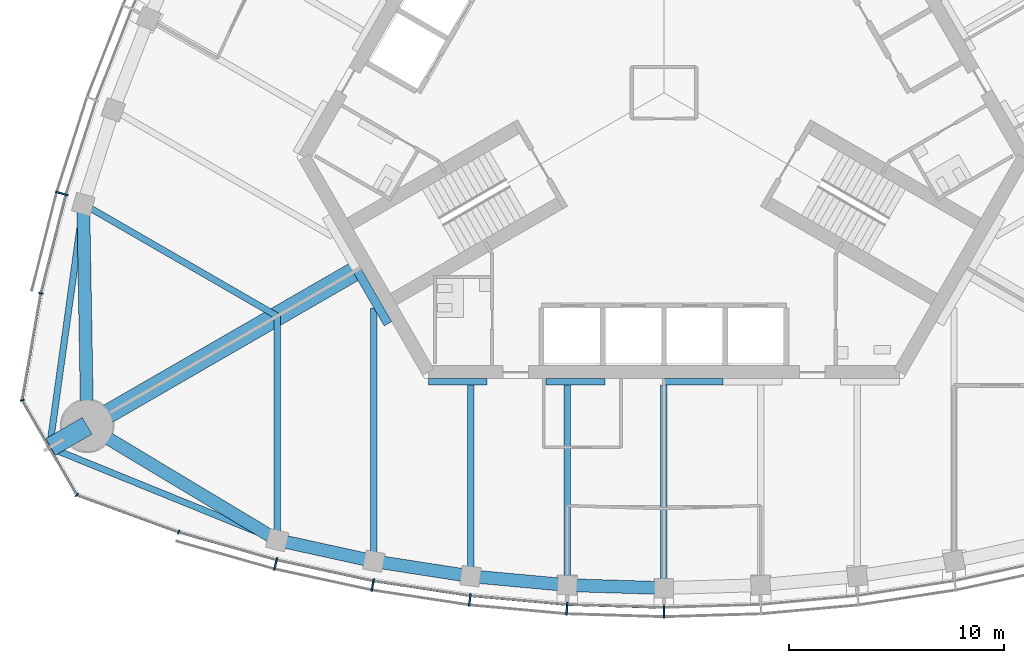
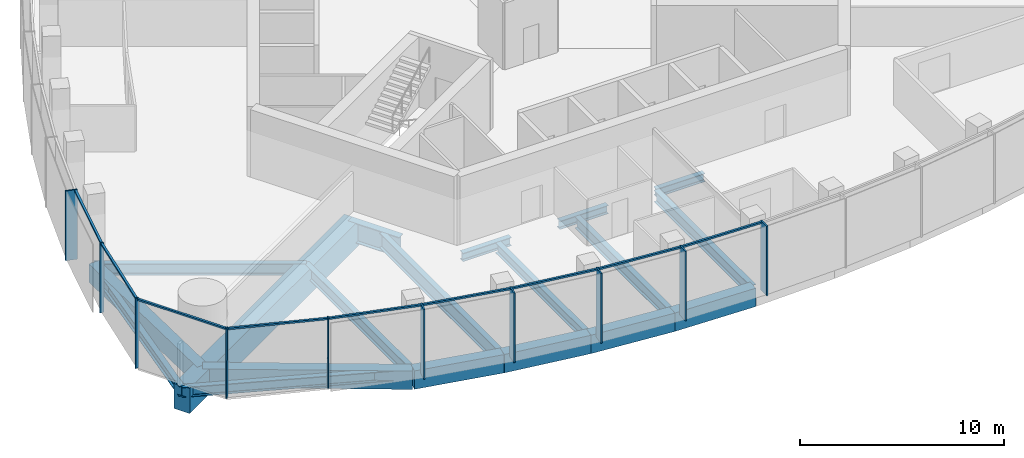
# One storey, part 2 of 16: 20 beams, 19 members, 3 elements without a shape of their own.
"""IFC4 building model written with IfcOpenShell, lengths in metres."""

from ifc_helpers import new_model, si_unit, direction, frame, origin, origin_2d, place, context, subcontext, project, spatial, rectangle, i_section, extrude, material, material_profile, profile_set, type_object, element, aggregate, save


model = new_model("IFC4")

# Units and contexts
model_context = context("Model", 3, precision=1e-05, world=origin(), true_north=direction((0.0, 1.0)))
body_context = subcontext(model_context, "Body", "Model", "MODEL_VIEW")
ifc_project = project(units=[si_unit("LENGTHUNIT", "METRE"), si_unit("AREAUNIT", "SQUARE_METRE"), si_unit("VOLUMEUNIT", "CUBIC_METRE"), si_unit("PLANEANGLEUNIT", "RADIAN"), si_unit("MASSUNIT", "GRAM", prefix="KILO")], contexts=[model_context])

# Site, building, storey
site_placement = place(None, origin())
site = spatial("IfcSite", under=ifc_project, at=site_placement, CompositionType="ELEMENT")
building_placement = place(site_placement, origin())
building = spatial("IfcBuilding", under=site, at=building_placement, Name="Trefoil Bronze Tower", CompositionType="ELEMENT")
storey_placement = place(building_placement, frame((0.0, 0.0, 314.10009765625)))
storey = spatial("IfcBuildingStorey", under=building, at=storey_placement, Name="L72", CompositionType="ELEMENT", Elevation=314.10009765625)

# Curtain wall, members
ifc_material_1 = material(Name="Tinted solar-control glass", Category="glass")
curtain_wall_type_1 = type_object("IfcCurtainWallType", Name="Bronze office curtain wall", PredefinedType="USERDEFINED", material=ifc_material_1)
curtain_wall_1_placement = place(storey_placement, origin())
curtain_wall_1 = element("IfcCurtainWall", 1, at=curtain_wall_1_placement, inside=storey, type_object=curtain_wall_type_1, Name="CW-A L72 F1", ObjectType="CURTAIN WALL", PredefinedType="USERDEFINED")
ifc_material_2 = material(Name="Bronze-finish aluminium", Category="aluminium")
ifc_material_profile_1 = material_profile(ifc_material_2, rectangle(XDim=0.60009765625, YDim=0.080078125, at=origin_2d()), Name="CW-A mullion")
ifc_profile_set_1 = profile_set([ifc_material_profile_1], Name="Bronze-finish aluminium")
member_type_1 = type_object("IfcMemberType", Name="Bronze office curtain wall mullion", PredefinedType="MULLION", material=ifc_profile_set_1)
member_1_placement = place(storey_placement, frame((-18.07275390625, -21.931884765625, 0.0), z_axis=(0.0, 0.0, 1.0), x_axis=(0.242394494031, 0.97017777199, 0.0)))
member_1 = element("IfcMember", 2, at=member_1_placement, type_object=member_type_1, Name="CW-A L72 F1 mullion 2", PredefinedType="MULLION", context=body_context, shape_type="SweptSolid", body=[
    extrude(rectangle(XDim=0.60009765625, YDim=0.080078125, at=origin_2d()), origin(), (0.0, 0.0, 1.0), 4.179931640625),
])
member_2_placement = place(storey_placement, frame((-13.554443359375, -22.911376953125, 0.0), z_axis=(0.0, 0.0, 1.0), x_axis=(0.181667218242, 0.983360067227, 0.0)))
member_2 = element("IfcMember", 3, at=member_2_placement, type_object=member_type_1, Name="CW-A L72 F1 mullion 3", PredefinedType="MULLION", context=body_context, shape_type="SweptSolid", body=[
    extrude(rectangle(XDim=0.60009765625, YDim=0.080078125, at=origin_2d()), origin(), (0.0, 0.0, 1.0), 4.179931640625),
])
member_3_placement = place(storey_placement, frame((-9.036376953125, -23.602783203125, 0.0), z_axis=(0.0, 0.0, 1.0), x_axis=(0.121109330868, 0.992639174109, 0.0)))
member_3 = element("IfcMember", 4, at=member_3_placement, type_object=member_type_1, Name="CW-A L72 F1 mullion 4", PredefinedType="MULLION", context=body_context, shape_type="SweptSolid", body=[
    extrude(rectangle(XDim=0.60009765625, YDim=0.080078125, at=origin_2d()), origin(), (0.0, 0.0, 1.0), 4.179931640625),
])
member_4_placement = place(storey_placement, frame((-4.51806640625, -24.014892578125, 0.0), z_axis=(0.0, 0.0, 1.0), x_axis=(0.060554040199, 0.998164920349, 0.0)))
member_4 = element("IfcMember", 5, at=member_4_placement, type_object=member_type_1, Name="CW-A L72 F1 mullion 5", PredefinedType="MULLION", context=body_context, shape_type="SweptSolid", body=[
    extrude(rectangle(XDim=0.60009765625, YDim=0.080078125, at=origin_2d()), origin(), (0.0, 0.0, 1.0), 4.179931640625),
])
member_5_placement = place(storey_placement, frame((0.0, -24.151611328125, 0.0), z_axis=(0.0, 0.0, 1.0), x_axis=(0.0, 1.0, 0.0)))
member_5 = element("IfcMember", 6, at=member_5_placement, type_object=member_type_1, Name="CW-A L72 F1 mullion 6", PredefinedType="MULLION", context=body_context, shape_type="SweptSolid", body=[
    extrude(rectangle(XDim=0.60009765625, YDim=0.080078125, at=origin_2d()), origin(), (0.0, 0.0, 1.0), 4.179931640625),
])

# Curtain wall, member
curtain_wall_2_placement = place(storey_placement, origin())
curtain_wall_2 = element("IfcCurtainWall", 7, at=curtain_wall_2_placement, inside=storey, type_object=curtain_wall_type_1, Name="CW-A L72 F3", ObjectType="CURTAIN WALL", PredefinedType="USERDEFINED")
member_6_placement = place(storey_placement, frame((-28.02978515625, -4.685546875, 0.0), z_axis=(0.0, 0.0, 1.0), x_axis=(0.961395843746, -0.275169096426, 0.0)))
member_6 = element("IfcMember", 8, at=member_6_placement, type_object=member_type_1, Name="CW-A L72 F3 mullion 10", PredefinedType="MULLION", context=body_context, shape_type="SweptSolid", body=[
    extrude(rectangle(XDim=0.60009765625, YDim=0.080078125, at=origin_2d()), origin(), (0.0, 0.0, 1.0), 4.179931640625),
])

# Member
ifc_material_3 = material(Name="Bronze-finish aluminium", Category="aluminium")
ifc_material_profile_2 = material_profile(ifc_material_3, rectangle(XDim=0.1201171875, YDim=0.10009765625, at=origin_2d()), Name="CW-A transom")
ifc_profile_set_2 = profile_set([ifc_material_profile_2], Name="Bronze-finish aluminium")
member_type_2 = type_object("IfcMemberType", Name="Bronze office curtain wall transom", PredefinedType="USERDEFINED", material=ifc_profile_set_2)
member_7_placement = place(storey_placement, frame((-22.537109375, -20.458740234375, 4.1298828125), z_axis=(0.962102611578, -0.272687668944, 0.0), x_axis=(0.272687668944, 0.962102611578, 0.0)))
member_7 = element("IfcMember", 9, at=member_7_placement, type_object=member_type_2, Name="CW-A L72 F1 transom 1", ObjectType="TRANSOM", PredefinedType="USERDEFINED", context=body_context, shape_type="SweptSolid", body=[
    extrude(rectangle(XDim=0.1201171875, YDim=0.10009765625, at=origin_2d()), origin(), (0.0, 0.0, 1.0), 4.6474609375),
])

member_8_placement = place(storey_placement, frame((-17.982177734375, -21.7470703125, 4.1298828125), z_axis=(0.977303780028, -0.211842681117, 0.0), x_axis=(0.211842681117, 0.977303780028, 0.0)))
member_8 = element("IfcMember", 10, at=member_8_placement, type_object=member_type_2, Name="CW-A L72 F1 transom 2", ObjectType="TRANSOM", PredefinedType="USERDEFINED", context=body_context, shape_type="SweptSolid", body=[
    extrude(rectangle(XDim=0.1201171875, YDim=0.10009765625, at=origin_2d()), origin(), (0.0, 0.0, 1.0), 4.524658203125),
])

member_9_placement = place(storey_placement, frame((-13.4755859375, -22.72119140625, 4.1298828125), z_axis=(0.988485016014, -0.151318779787, 0.0), x_axis=(0.151318779787, 0.988485016014, 0.0)))
member_9 = element("IfcMember", 11, at=member_9_placement, type_object=member_type_2, Name="CW-A L72 F1 transom 3", ObjectType="TRANSOM", PredefinedType="USERDEFINED", context=body_context, shape_type="SweptSolid", body=[
    extrude(rectangle(XDim=0.1201171875, YDim=0.10009765625, at=origin_2d()), origin(), (0.0, 0.0, 1.0), 4.472412109375),
])

member_10_placement = place(storey_placement, frame((-8.96923828125, -23.408203125, 4.1298828125), z_axis=(0.995868373079, -0.090808499059, 0.0), x_axis=(0.090808499059, 0.995868373079, 0.0)))
member_10 = element("IfcMember", 12, at=member_10_placement, type_object=member_type_2, Name="CW-A L72 F1 transom 4", ObjectType="TRANSOM", PredefinedType="USERDEFINED", context=body_context, shape_type="SweptSolid", body=[
    extrude(rectangle(XDim=0.1201171875, YDim=0.10009765625, at=origin_2d()), origin(), (0.0, 0.0, 1.0), 4.438720703125),
])

member_11_placement = place(storey_placement, frame((-4.463134765625, -23.81640625, 4.1298828125), z_axis=(0.99954057115, -0.030309183848, 0.0), x_axis=(0.030309183848, 0.99954057115, 0.0)))
member_11 = element("IfcMember", 13, at=member_11_placement, type_object=member_type_2, Name="CW-A L72 F1 transom 5", ObjectType="TRANSOM", PredefinedType="USERDEFINED", context=body_context, shape_type="SweptSolid", body=[
    extrude(rectangle(XDim=0.1201171875, YDim=0.10009765625, at=origin_2d()), origin(), (0.0, 0.0, 1.0), 4.422119140625),
])

aggregate(curtain_wall_1, [member_1, member_2, member_3, member_4, member_5, member_7, member_8, member_9, member_10, member_11])

member_12_placement = place(storey_placement, frame((-27.84814453125, -4.782470703125, 4.1298828125), z_axis=(-0.244908148095, -0.969546285123, 0.0), x_axis=(0.969546285123, -0.244908148095, 0.0)))
member_12 = element("IfcMember", 14, at=member_12_placement, type_object=member_type_2, Name="CW-A L72 F3 transom 10", ObjectType="TRANSOM", PredefinedType="USERDEFINED", context=body_context, shape_type="SweptSolid", body=[
    extrude(rectangle(XDim=0.1201171875, YDim=0.10009765625, at=origin_2d()), origin(), (0.0, 0.0, 1.0), 4.6474609375),
])

aggregate(curtain_wall_2, [member_6, member_12])

# Curtain wall, members
ifc_material_4 = material(Name="Tinted solar-control glass", Category="glass")
curtain_wall_type_2 = type_object("IfcCurtainWallType", Name="Bronze rounded corner curtain wall", PredefinedType="USERDEFINED", material=ifc_material_4)
curtain_wall_3_placement = place(storey_placement, origin())
curtain_wall_3 = element("IfcCurtainWall", 15, at=curtain_wall_3_placement, inside=storey, type_object=curtain_wall_type_2, Name="CW-B L72 K3", ObjectType="CURTAIN WALL", PredefinedType="USERDEFINED")
ifc_material_5 = material(Name="Bronze-finish aluminium", Category="aluminium")
ifc_material_profile_3 = material_profile(ifc_material_5, rectangle(XDim=0.199951171875, YDim=0.06005859375, at=origin_2d()), Name="CW-B mullion")
ifc_profile_set_3 = profile_set([ifc_material_profile_3], Name="Bronze-finish aluminium")
member_type_3 = type_object("IfcMemberType", Name="Bronze rounded corner curtain wall mullion", PredefinedType="MULLION", material=ifc_profile_set_3)
member_13_placement = place(storey_placement, frame((-28.99755859375, -9.334228515625, 0.0), z_axis=(0.0, 0.0, 1.0), x_axis=(0.984807753012, -0.173648177667, 0.0)))
member_13 = element("IfcMember", 16, at=member_13_placement, type_object=member_type_3, Name="CW-B L72 K3 mullion 1", PredefinedType="MULLION", context=body_context, shape_type="SweptSolid", body=[
    extrude(rectangle(XDim=0.199951171875, YDim=0.06005859375, at=origin_2d()), origin(), (0.0, 0.0, 1.0), 4.179931640625),
])
member_14_placement = place(storey_placement, frame((-29.86865234375, -14.30908203125, 0.0), z_axis=(0.0, 0.0, 1.0), x_axis=(0.984807753012, 0.173648177667, 0.0)))
member_14 = element("IfcMember", 17, at=member_14_placement, type_object=member_type_3, Name="CW-B L72 K3 mullion 2", PredefinedType="MULLION", context=body_context, shape_type="SweptSolid", body=[
    extrude(rectangle(XDim=0.199951171875, YDim=0.06005859375, at=origin_2d()), origin(), (0.0, 0.0, 1.0), 4.179931640625),
])
member_15_placement = place(storey_placement, frame((-27.326416015625, -18.712646484375, 0.0), z_axis=(0.0, 0.0, 1.0), x_axis=(0.642787609687, 0.766044443119, 0.0)))
member_15 = element("IfcMember", 18, at=member_15_placement, type_object=member_type_3, Name="CW-B L72 K3 mullion 3", PredefinedType="MULLION", context=body_context, shape_type="SweptSolid", body=[
    extrude(rectangle(XDim=0.199951171875, YDim=0.06005859375, at=origin_2d()), origin(), (0.0, 0.0, 1.0), 4.179931640625),
])
member_16_placement = place(storey_placement, frame((-22.58251953125, -20.445556640625, 0.0), z_axis=(0.0, 0.0, 1.0), x_axis=(0.342020143326, 0.939692620786, 0.0)))
member_16 = element("IfcMember", 19, at=member_16_placement, type_object=member_type_3, Name="CW-B L72 K3 mullion 4", PredefinedType="MULLION", context=body_context, shape_type="SweptSolid", body=[
    extrude(rectangle(XDim=0.199951171875, YDim=0.06005859375, at=origin_2d()), origin(), (0.0, 0.0, 1.0), 4.179931640625),
])
ifc_material_6 = material(Name="Bronze-finish aluminium", Category="aluminium")
ifc_material_profile_4 = material_profile(ifc_material_6, rectangle(XDim=0.1201171875, YDim=0.10009765625, at=origin_2d()), Name="CW-B transom")
ifc_profile_set_4 = profile_set([ifc_material_profile_4], Name="Bronze-finish aluminium")
member_type_4 = type_object("IfcMemberType", Name="Bronze rounded corner curtain wall transom", PredefinedType="USERDEFINED", material=ifc_profile_set_4)
member_17_placement = place(storey_placement, frame((-29.0029296875, -9.36376953125, 4.1298828125), z_axis=(-0.173633591509, -0.984810324834, 0.0), x_axis=(0.984810324834, -0.173633591509, 0.0)))
member_17 = element("IfcMember", 20, at=member_17_placement, type_object=member_type_4, Name="CW-B L72 K3 transom 1", ObjectType="TRANSOM", PredefinedType="USERDEFINED", context=body_context, shape_type="SweptSolid", body=[
    extrude(rectangle(XDim=0.1201171875, YDim=0.10009765625, at=origin_2d()), origin(), (0.0, 0.0, 1.0), 4.956298828125),
])
member_18_placement = place(storey_placement, frame((-29.841796875, -14.36767578125, 4.1298828125), z_axis=(0.499985403706, -0.866033830794, 0.0), x_axis=(0.866033830794, 0.499985403706, 0.0)))
member_18 = element("IfcMember", 21, at=member_18_placement, type_object=member_type_4, Name="CW-B L72 K3 transom 2", ObjectType="TRANSOM", PredefinedType="USERDEFINED", context=body_context, shape_type="SweptSolid", body=[
    extrude(rectangle(XDim=0.1201171875, YDim=0.10009765625, at=origin_2d()), origin(), (0.0, 0.0, 1.0), 4.956298828125),
])
member_19_placement = place(storey_placement, frame((-27.26806640625, -18.740234375, 4.1298828125), z_axis=(0.93969990549, -0.342000128103, 0.0), x_axis=(0.342000128103, 0.93969990549, 0.0)))
member_19 = element("IfcMember", 22, at=member_19_placement, type_object=member_type_4, Name="CW-B L72 K3 transom 3", ObjectType="TRANSOM", PredefinedType="USERDEFINED", context=body_context, shape_type="SweptSolid", body=[
    extrude(rectangle(XDim=0.1201171875, YDim=0.10009765625, at=origin_2d()), origin(), (0.0, 0.0, 1.0), 4.956298828125),
])
aggregate(curtain_wall_3, [member_13, member_14, member_15, member_16, member_17, member_18, member_19])

# Beams
ifc_material_7 = material(Name="Steel C355", Category="steel")
ifc_material_profile_5 = material_profile(ifc_material_7, i_section(OverallWidth=0.300048828125, OverallDepth=0.5, WebThickness=0.014404296875, FlangeThickness=0.028076171875, FilletRadius=0.027099609375, at=origin_2d()), Name="HEB 500")
ifc_profile_set_5 = profile_set([ifc_material_profile_5], Name="Steel C355")
beam_type_1 = type_object("IfcBeamType", Name="Core seat beam HEB 500", PredefinedType="BEAM", material=ifc_profile_set_5)
for number, where, z_axis, x_axis, name in (
    (23, (-10.9697265625, -13.449951171875, -0.4501953125), (1.0, 0.0, 0.0), (0.0, 1.0, 0.0), "Core seat beam F1/-2 L72"),
    (24, (-5.48486328125, -13.449951171875, -0.4501953125), (1.0, 0.0, 0.0), (0.0, 1.0, 0.0), "Core seat beam F1/-1 L72"),
    (25, (0.0, -13.449951171875, -0.4501953125), (1.0, 0.0, 0.0), (0.0, 1.0, 0.0), "Core seat beam F1/+0 L72"),
):
    element("IfcBeam", number, at=place(storey_placement, frame(where, z_axis=z_axis, x_axis=x_axis)), inside=storey, type_object=beam_type_1, Name=name, PredefinedType="BEAM", context=body_context, shape_type="SweptSolid", body=[
        extrude(i_section(OverallWidth=0.300048828125, OverallDepth=0.5, WebThickness=0.014404296875, FlangeThickness=0.028076171875, FilletRadius=0.027099609375, at=origin_2d()), origin(), (0.0, 0.0, 1.0), 2.742431640625),
    ])
ifc_material_8 = material(Name="Steel C355", Category="steel")
ifc_material_profile_6 = material_profile(ifc_material_8, i_section(OverallWidth=0.39990234375, OverallDepth=1.199951171875, WebThickness=0.02001953125, FlangeThickness=0.0400390625, FilletRadius=0.010009765625, at=origin_2d()), Name="WPG 1200")
ifc_profile_set_6 = profile_set([ifc_material_profile_6], Name="Steel C355")
beam_type_2 = type_object("IfcBeamType", Name="Core seat beam WPG 1200", PredefinedType="BEAM", material=ifc_profile_set_6)
beam_1_placement = place(storey_placement, frame((-14.289306640625, -8.25, -0.800048828125), z_axis=(0.499995765644, -0.866027848477, 0.0), x_axis=(0.866027848477, 0.499995765644, 0.0)))
element("IfcBeam", 26, at=beam_1_placement, inside=storey, type_object=beam_type_2, Name="Core seat beam F1/-3 L72", PredefinedType="BEAM", context=body_context, shape_type="SweptSolid", body=[
    extrude(i_section(OverallWidth=0.39990234375, OverallDepth=1.199951171875, WebThickness=0.02001953125, FlangeThickness=0.0400390625, FilletRadius=0.010009765625, at=origin_2d()), origin(), (0.0, 0.0, 1.0), 2.88671875),
])
ifc_material_9 = material(Name="Concrete B80", Category="concrete")
ifc_material_profile_7 = material_profile(ifc_material_9, rectangle(XDim=0.89990234375, YDim=1.5, at=origin_2d()), Name="RC 900x1500")
ifc_profile_set_7 = profile_set([ifc_material_profile_7], Name="Concrete B80")
beam_type_3 = type_object("IfcBeamType", Name="Corner cantilever RC 900x1500", PredefinedType="BEAM", material=ifc_profile_set_7)
beam_2_placement = place(storey_placement, frame((-26.8466796875, -15.5, -0.9501953125), z_axis=(-0.866010470582, -0.500025864173, 0.0), x_axis=(0.500025864173, -0.866010470582, 0.0)))
element("IfcBeam", 27, at=beam_2_placement, inside=storey, type_object=beam_type_3, Name="Corner cantilever K3 L72", PredefinedType="BEAM", context=body_context, shape_type="SweptSolid", body=[
    extrude(rectangle(XDim=0.89990234375, YDim=1.5, at=origin_2d()), origin(), (0.0, 0.0, 1.0), 2.02001953125),
])
ifc_material_10 = material(Name="Steel C355", Category="steel")
ifc_material_profile_8 = material_profile(ifc_material_10, i_section(OverallWidth=0.300048828125, OverallDepth=0.60009765625, WebThickness=0.015380859375, FlangeThickness=0.030029296875, FilletRadius=0.027099609375, at=origin_2d()), Name="HEB 600")
ifc_profile_set_8 = profile_set([ifc_material_profile_8], Name="Steel C355")
beam_type_4 = type_object("IfcBeamType", Name="Corner edge beam HEB 600", PredefinedType="BEAM", material=ifc_profile_set_8)
beam_3_placement = place(storey_placement, frame((-18.0, -20.816162109375, -0.5), z_axis=(-0.926419351914, 0.376493272714, 0.0), x_axis=(-0.376493272714, -0.926419351914, 0.0)))
element("IfcBeam", 28, at=beam_3_placement, inside=storey, type_object=beam_type_4, Name="Corner edge beam F1B L72", PredefinedType="BEAM", context=body_context, shape_type="SweptSolid", body=[
    extrude(i_section(OverallWidth=0.300048828125, OverallDepth=0.60009765625, WebThickness=0.015380859375, FlangeThickness=0.030029296875, FilletRadius=0.027099609375, at=origin_2d()), origin(), (0.0, 0.0, 1.0), 11.4375),
])
beam_4_placement = place(storey_placement, frame((-27.02734375, -5.180419921875, -0.5), z_axis=(-0.137143714313, -0.990551160529, 0.0), x_axis=(0.990551160529, -0.137143714313, 0.0)))
element("IfcBeam", 29, at=beam_4_placement, inside=storey, type_object=beam_type_4, Name="Corner edge beam F3A L72", PredefinedType="BEAM", context=body_context, shape_type="SweptSolid", body=[
    extrude(i_section(OverallWidth=0.300048828125, OverallDepth=0.60009765625, WebThickness=0.015380859375, FlangeThickness=0.030029296875, FilletRadius=0.027099609375, at=origin_2d()), origin(), (0.0, 0.0, 1.0), 11.437744140625),
])
ifc_material_11 = material(Name="Concrete B80", Category="concrete")
ifc_material_profile_9 = material_profile(ifc_material_11, rectangle(XDim=0.89990234375, YDim=1.5, at=origin_2d()), Name="RC 900x1500")
ifc_profile_set_9 = profile_set([ifc_material_profile_9], Name="Concrete B80")
beam_type_5 = type_object("IfcBeamType", Name="Corner girder RC 900x1500", PredefinedType="BEAM", material=ifc_profile_set_9)
beam_5_placement = place(storey_placement, frame((-14.1162109375, -8.14990234375, -0.9501953125), z_axis=(-0.86602074674, -0.500008066151, 0.0), x_axis=(0.500008066151, -0.86602074674, 0.0)))
element("IfcBeam", 30, at=beam_5_placement, inside=storey, type_object=beam_type_5, Name="Corner girder K3 L72", PredefinedType="BEAM", context=body_context, shape_type="SweptSolid", body=[
    extrude(rectangle(XDim=0.89990234375, YDim=1.5, at=origin_2d()), origin(), (0.0, 0.0, 1.0), 14.699951171875),
])
ifc_material_12 = material(Name="Concrete B80", Category="concrete")
ifc_material_profile_10 = material_profile(ifc_material_12, rectangle(XDim=0.60009765625, YDim=1.10009765625, at=origin_2d()), Name="RC 600x1100")
ifc_profile_set_10 = profile_set([ifc_material_profile_10], Name="Concrete B80")
beam_type_6 = type_object("IfcBeamType", Name="End spandrel beam RC 600x1100", PredefinedType="SPANDREL", material=ifc_profile_set_10)
for number, where, z_axis, x_axis, name in (
    (31, (-26.8466796875, -15.5, -0.75), (0.857144173035, -0.515076563855, 0.0), (0.515076563855, 0.857144173035, 0.0), "Spandrel F1.1 L72"),
    (32, (-27.02734375, -5.180419921875, -0.75), (0.017504237714, -0.999846789094, 0.0), (0.999846789094, 0.017504237714, 0.0), "Spandrel F3.10 L72"),
):
    element("IfcBeam", number, at=place(storey_placement, frame(where, z_axis=z_axis, x_axis=x_axis)), inside=storey, type_object=beam_type_6, Name=name, PredefinedType="SPANDREL", context=body_context, shape_type="SweptSolid", body=[
        extrude(rectangle(XDim=0.60009765625, YDim=1.10009765625, at=origin_2d()), origin(), (0.0, 0.0, 1.0), 10.321044921875),
    ])
ifc_material_13 = material(Name="Steel C355", Category="steel")
ifc_material_profile_11 = material_profile(ifc_material_13, i_section(OverallWidth=0.300048828125, OverallDepth=0.60009765625, WebThickness=0.015380859375, FlangeThickness=0.030029296875, FilletRadius=0.027099609375, at=origin_2d()), Name="HEB 600")
ifc_profile_set_11 = profile_set([ifc_material_profile_11], Name="Steel C355")
beam_type_7 = type_object("IfcBeamType", Name="Floor beam HEB 600", PredefinedType="BEAM", material=ifc_profile_set_11)
beam_6_placement = place(storey_placement, frame((-9.0, -22.499267578125, -0.5), z_axis=(0.0, 1.0, 0.0), x_axis=(-1.0, 0.0, 0.0)))
element("IfcBeam", 33, at=beam_6_placement, inside=storey, type_object=beam_type_7, Name="Floor beam F1/-2 L72", PredefinedType="BEAM", context=body_context, shape_type="SweptSolid", body=[
    extrude(i_section(OverallWidth=0.300048828125, OverallDepth=0.60009765625, WebThickness=0.015380859375, FlangeThickness=0.030029296875, FilletRadius=0.027099609375, at=origin_2d()), origin(), (0.0, 0.0, 1.0), 8.899169921875),
])
ifc_material_14 = material(Name="Steel C355", Category="steel")
ifc_material_profile_12 = material_profile(ifc_material_14, i_section(OverallWidth=0.300048828125, OverallDepth=0.699951171875, WebThickness=0.01708984375, FlangeThickness=0.031982421875, FilletRadius=0.027099609375, at=origin_2d()), Name="HEB 700")
ifc_profile_set_12 = profile_set([ifc_material_profile_12], Name="Steel C355")
beam_type_8 = type_object("IfcBeamType", Name="Floor beam HEB 700", PredefinedType="BEAM", material=ifc_profile_set_12)
beam_7_placement = place(storey_placement, frame((-18.0, -20.816162109375, -0.550048828125), z_axis=(0.0, 1.0, 0.0), x_axis=(-1.0, 0.0, 0.0)))
element("IfcBeam", 34, at=beam_7_placement, inside=storey, type_object=beam_type_8, Name="Floor beam F1/-4 L72", PredefinedType="BEAM", context=body_context, shape_type="SweptSolid", body=[
    extrude(i_section(OverallWidth=0.300048828125, OverallDepth=0.699951171875, WebThickness=0.01708984375, FlangeThickness=0.031982421875, FilletRadius=0.027099609375, at=origin_2d()), origin(), (0.0, 0.0, 1.0), 10.423828125),
])
beam_8_placement = place(storey_placement, frame((-4.5, -22.913818359375, -0.550048828125), z_axis=(0.0, 1.0, 0.0), x_axis=(-1.0, 0.0, 0.0)))
element("IfcBeam", 35, at=beam_8_placement, inside=storey, type_object=beam_type_8, Name="Floor beam F1/-1 L72", PredefinedType="BEAM", context=body_context, shape_type="SweptSolid", body=[
    extrude(i_section(OverallWidth=0.300048828125, OverallDepth=0.699951171875, WebThickness=0.01708984375, FlangeThickness=0.031982421875, FilletRadius=0.027099609375, at=origin_2d()), origin(), (0.0, 0.0, 1.0), 9.313720703125),
])
beam_9_placement = place(storey_placement, frame((0.0, -23.051513671875, -0.550048828125), z_axis=(0.0, 1.0, 0.0), x_axis=(-1.0, 0.0, 0.0)))
element("IfcBeam", 36, at=beam_9_placement, inside=storey, type_object=beam_type_8, Name="Floor beam F1/+0 L72", PredefinedType="BEAM", context=body_context, shape_type="SweptSolid", body=[
    extrude(i_section(OverallWidth=0.300048828125, OverallDepth=0.699951171875, WebThickness=0.01708984375, FlangeThickness=0.031982421875, FilletRadius=0.027099609375, at=origin_2d()), origin(), (0.0, 0.0, 1.0), 9.451416015625),
])
beam_10_placement = place(storey_placement, frame((-27.02734375, -5.180419921875, -0.550048828125), z_axis=(0.866026453994, -0.499998180979, 0.0), x_axis=(0.499998180979, 0.866026453994, 0.0)))
element("IfcBeam", 37, at=beam_10_placement, inside=storey, type_object=beam_type_8, Name="Floor beam F3/+4 L72", PredefinedType="BEAM", context=body_context, shape_type="SweptSolid", body=[
    extrude(i_section(OverallWidth=0.300048828125, OverallDepth=0.699951171875, WebThickness=0.01708984375, FlangeThickness=0.031982421875, FilletRadius=0.027099609375, at=origin_2d()), origin(), (0.0, 0.0, 1.0), 10.423828125),
])
ifc_material_15 = material(Name="Steel C355", Category="steel")
ifc_material_profile_13 = material_profile(ifc_material_15, i_section(OverallWidth=0.300048828125, OverallDepth=0.89990234375, WebThickness=0.0185546875, FlangeThickness=0.034912109375, FilletRadius=0.030029296875, at=origin_2d()), Name="HEB 900")
ifc_profile_set_13 = profile_set([ifc_material_profile_13], Name="Steel C355")
beam_type_9 = type_object("IfcBeamType", Name="Floor beam HEB 900", PredefinedType="BEAM", material=ifc_profile_set_13)
beam_11_placement = place(storey_placement, frame((-13.5, -21.802734375, -0.650146484375), z_axis=(0.0, 1.0, 0.0), x_axis=(-1.0, 0.0, 0.0)))
element("IfcBeam", 38, at=beam_11_placement, inside=storey, type_object=beam_type_9, Name="Floor beam F1/-3 L72", PredefinedType="BEAM", context=body_context, shape_type="SweptSolid", body=[
    extrude(i_section(OverallWidth=0.300048828125, OverallDepth=0.89990234375, WebThickness=0.0185546875, FlangeThickness=0.034912109375, FilletRadius=0.030029296875, at=origin_2d()), origin(), (0.0, 0.0, 1.0), 11.785400390625),
])
ifc_material_16 = material(Name="Concrete B80", Category="concrete")
ifc_material_profile_14 = material_profile(ifc_material_16, rectangle(XDim=0.60009765625, YDim=1.10009765625, at=origin_2d()), Name="RC 600x1100")
ifc_profile_set_14 = profile_set([ifc_material_profile_14], Name="Concrete B80")
beam_type_10 = type_object("IfcBeamType", Name="Spandrel beam RC 600x1100", PredefinedType="SPANDREL", material=ifc_profile_set_14)
beam_12_placement = place(storey_placement, frame((-18.0, -20.816162109375, -0.75), z_axis=(0.976800342355, -0.214152028182, 0.0), x_axis=(0.214152028182, 0.976800342355, 0.0)))
element("IfcBeam", 39, at=beam_12_placement, inside=storey, type_object=beam_type_10, Name="Spandrel F1.2 L72", PredefinedType="SPANDREL", context=body_context, shape_type="SweptSolid", body=[
    extrude(rectangle(XDim=0.60009765625, YDim=1.10009765625, at=origin_2d()), origin(), (0.0, 0.0, 1.0), 4.60693359375),
])
beam_13_placement = place(storey_placement, frame((-13.5, -21.802734375, -0.75), z_axis=(0.988231820946, -0.152963616816, 0.0), x_axis=(0.152963616816, 0.988231820946, 0.0)))
element("IfcBeam", 40, at=beam_13_placement, inside=storey, type_object=beam_type_10, Name="Spandrel F1.3 L72", PredefinedType="SPANDREL", context=body_context, shape_type="SweptSolid", body=[
    extrude(rectangle(XDim=0.60009765625, YDim=1.10009765625, at=origin_2d()), origin(), (0.0, 0.0, 1.0), 4.553466796875),
])
beam_14_placement = place(storey_placement, frame((-9.0, -22.499267578125, -0.75), z_axis=(0.995783550481, -0.091733966402, 0.0), x_axis=(0.091733966402, 0.995783550481, 0.0)))
element("IfcBeam", 41, at=beam_14_placement, inside=storey, type_object=beam_type_10, Name="Spandrel F1.4 L72", PredefinedType="SPANDREL", context=body_context, shape_type="SweptSolid", body=[
    extrude(rectangle(XDim=0.60009765625, YDim=1.10009765625, at=origin_2d()), origin(), (0.0, 0.0, 1.0), 4.51904296875),
])
beam_15_placement = place(storey_placement, frame((-4.5, -22.913818359375, -0.75), z_axis=(0.999532180362, -0.03058464354, 0.0), x_axis=(0.03058464354, 0.999532180362, 0.0)))
element("IfcBeam", 42, at=beam_15_placement, inside=storey, type_object=beam_type_10, Name="Spandrel F1.5 L72", PredefinedType="SPANDREL", context=body_context, shape_type="SweptSolid", body=[
    extrude(rectangle(XDim=0.60009765625, YDim=1.10009765625, at=origin_2d()), origin(), (0.0, 0.0, 1.0), 4.502197265625),
])

save(model, "model.ifc")
